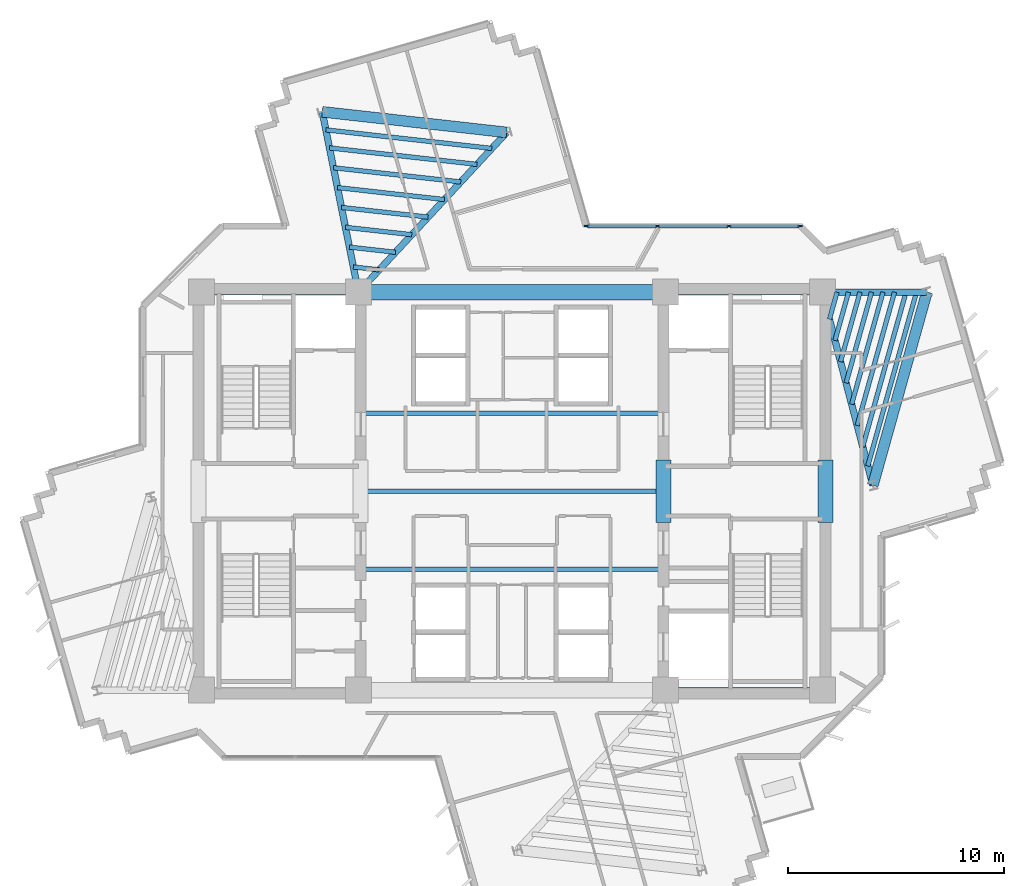
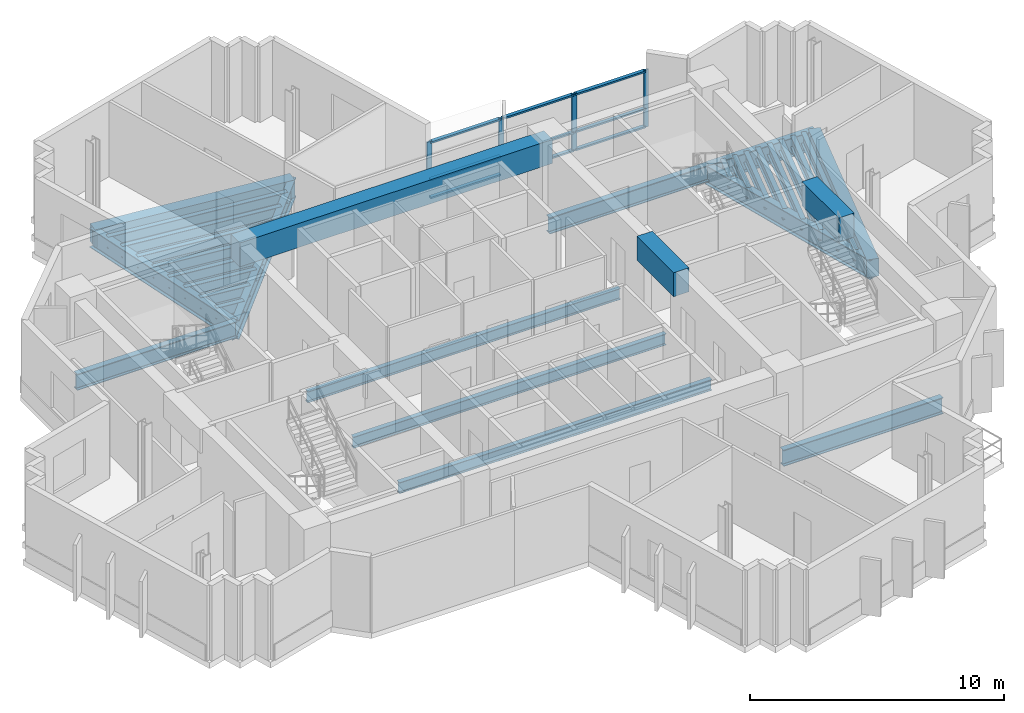
# One storey, part 3 of 14: 31 beams, 13 members, 1 element without a shape of its own.
"""IFC4 building model written with IfcOpenShell, lengths in metres."""

from ifc_helpers import new_model, si_unit, direction, frame, origin, origin_2d, place, context, subcontext, project, spatial, rectangle, i_section, extrude, source, transform, mapped, material, layer, layer_set, material_profile, profile_set, type_object, element, aggregate, save


model = new_model("IFC4")

# Units and contexts
model_context = context("Model", 3, precision=1e-05, world=origin(), true_north=direction((0.0, 1.0)))
body_context = subcontext(model_context, "Body", "Model", "MODEL_VIEW")
ifc_project = project(units=[si_unit("LENGTHUNIT", "METRE"), si_unit("AREAUNIT", "SQUARE_METRE"), si_unit("VOLUMEUNIT", "CUBIC_METRE"), si_unit("PLANEANGLEUNIT", "RADIAN"), si_unit("MASSUNIT", "GRAM", prefix="KILO")], contexts=[model_context])

# Site, building, storey
site_placement = place(None, origin())
site = spatial("IfcSite", under=ifc_project, at=site_placement, CompositionType="ELEMENT")
building_placement = place(site_placement, origin())
building = spatial("IfcBuilding", under=site, at=building_placement, Name="Zahravan Cultural Tower", CompositionType="ELEMENT")
storey_placement = place(building_placement, frame((0.0, 0.0, 209.699951171875)))
storey = spatial("IfcBuildingStorey", under=building, at=storey_placement, Name="L49", CompositionType="ELEMENT", Elevation=209.699951171875)

# Beams
ifc_material_1 = material(Name="Concrete C50/60", Category="concrete")
ifc_material_profile_1 = material_profile(ifc_material_1, rectangle(XDim=0.699951171875, YDim=1.14990234375, at=origin_2d()), Name="RC700X1150")
ifc_profile_set_1 = profile_set([ifc_material_profile_1], Name="Concrete C50/60")
beam_type_1 = type_object("IfcBeamType", Name="BM-LN-RC700X1150", PredefinedType="LINTEL", material=ifc_profile_set_1)
shared_shape_1 = source(origin(), body_context, "Body", "SweptSolid", [
    extrude(rectangle(XDim=0.699951171875, YDim=1.14990234375, at=origin_2d()), origin(), (0.0, 0.0, 1.0), 14.2001953125),
])
beam_1_placement = place(storey_placement, frame((28.89990234375, 36.199951171875, 3.045166015625), z_axis=(1.0, 0.0, 0.0), x_axis=(0.0, 1.0, 0.0)))
element("IfcBeam", 1, at=beam_1_placement, inside=storey, type_object=beam_type_1, Name="L49 Beam LN-L49-N", PredefinedType="LINTEL", context=body_context, shape_type="MappedRepresentation", body=[
    mapped(shared_shape_1, transform((0.0, 0.0, 0.0), x_axis=(1.0, 0.0, 0.0), y_axis=(0.0, 1.0, 0.0), z_axis=(0.0, 0.0, 1.0), scale=1.0)),
])
shared_shape_2 = source(origin(), body_context, "Body", "SweptSolid", [
    extrude(rectangle(XDim=0.699951171875, YDim=1.14990234375, at=origin_2d()), origin(), (0.0, 0.0, 1.0), 2.89990234375),
])
for number, where, z_axis, x_axis, name in (
    (2, (43.0, 25.550048828125, 3.045166015625), (0.0, 1.0, 0.0), (-1.0, 0.0, 0.0), "L49 Beam LN-L49-PEW"),
    (3, (50.5, 25.550048828125, 3.045166015625), (0.0, 1.0, 0.0), (-1.0, 0.0, 0.0), "L49 Beam LN-L49-PEE"),
):
    element("IfcBeam", number, at=place(storey_placement, frame(where, z_axis=z_axis, x_axis=x_axis)), inside=storey, type_object=beam_type_1, Name=name, PredefinedType="LINTEL", context=body_context, shape_type="MappedRepresentation", body=[
        mapped(shared_shape_2, transform((0.0, 0.0, 0.0), x_axis=(1.0, 0.0, 0.0), y_axis=(0.0, 1.0, 0.0), z_axis=(0.0, 0.0, 1.0), scale=1.0)),
    ])
ifc_material_2 = material(Name="Steel ASTM A992 Grade 50", Category="steel")
ifc_material_profile_2 = material_profile(ifc_material_2, i_section(OverallWidth=0.26611328125, OverallDepth=0.780029296875, WebThickness=0.0166015625, FlangeThickness=0.030029296875, FilletRadius=0.01904296875, at=origin_2d()), Name="W30X148")
ifc_profile_set_2 = profile_set([ifc_material_profile_2], Name="Steel ASTM A992 Grade 50")
beam_type_2 = type_object("IfcBeamType", Name="BM-G-W30X148", PredefinedType="BEAM", material=ifc_profile_set_2)
shared_shape_3 = source(origin(), body_context, "Body", "SweptSolid", [
    extrude(i_section(OverallWidth=0.26611328125, OverallDepth=0.780029296875, WebThickness=0.0166015625, FlangeThickness=0.030029296875, FilletRadius=0.01904296875, at=origin_2d()), origin(), (0.0, 0.0, 1.0), 7.25),
])
for number, where, z_axis, x_axis, name in (
    (4, (21.64990234375, 36.199951171875, -0.669921875), (1.0, 0.0, 0.0), (0.0, 1.0, 0.0), "L49 Beam BG-L49-02"),
    (5, (43.10009765625, 17.800048828125, -0.669921875), (1.0, 0.0, 0.0), (0.0, 1.0, 0.0), "L49 Beam BG-L49-04"),
    (6, (43.10009765625, 36.199951171875, -0.669921875), (1.0, 0.0, 0.0), (0.0, 1.0, 0.0), "L49 Beam BG-L49-05"),
):
    element("IfcBeam", number, at=place(storey_placement, frame(where, z_axis=z_axis, x_axis=x_axis)), inside=storey, type_object=beam_type_2, Name=name, PredefinedType="BEAM", context=body_context, shape_type="MappedRepresentation", body=[
        mapped(shared_shape_3, transform((0.0, 0.0, 0.0), x_axis=(1.0, 0.0, 0.0), y_axis=(0.0, 1.0, 0.0), z_axis=(0.0, 0.0, 1.0), scale=1.0)),
    ])
ifc_material_profile_3 = material_profile(ifc_material_2, i_section(OverallWidth=0.304931640625, OverallDepth=0.9189453125, WebThickness=0.017333984375, FlangeThickness=0.02783203125, FilletRadius=0.02392578125, at=origin_2d()), Name="W36X170")
ifc_profile_set_3 = profile_set([ifc_material_profile_3], Name="Steel ASTM A992 Grade 50")
beam_type_3 = type_object("IfcBeamType", Name="BM-G-W36X170", PredefinedType="BEAM", material=ifc_profile_set_3)
shared_shape_4 = source(origin(), body_context, "Body", "SweptSolid", [
    extrude(i_section(OverallWidth=0.304931640625, OverallDepth=0.9189453125, WebThickness=0.017333984375, FlangeThickness=0.02783203125, FilletRadius=0.02392578125, at=origin_2d()), origin(), (0.0, 0.0, 1.0), 9.22900390625),
])
beam_2_placement = place(storey_placement, frame((50.35009765625, 36.199951171875, -0.739501953125), z_axis=(0.252922608408, -0.967486513682, 0.0), x_axis=(0.967486513682, 0.252922608408, 0.0)))
element("IfcBeam", 7, at=beam_2_placement, inside=storey, type_object=beam_type_3, Name="L49 Beam BG-L49-11", PredefinedType="BEAM", context=body_context, shape_type="MappedRepresentation", body=[
    mapped(shared_shape_4, transform((0.0, 0.0, 0.0), x_axis=(1.0, 0.0, 0.0), y_axis=(0.0, 1.0, 0.0), z_axis=(0.0, 0.0, 1.0), scale=1.0)),
])
shared_shape_5 = source(origin(), body_context, "Body", "SweptSolid", [
    extrude(i_section(OverallWidth=0.304931640625, OverallDepth=0.9189453125, WebThickness=0.017333984375, FlangeThickness=0.02783203125, FilletRadius=0.02392578125, at=origin_2d()), origin(), (0.0, 0.0, 1.0), 4.834716796875),
])
beam_3_placement = place(storey_placement, frame((50.35009765625, 36.199951171875, -0.739501953125), z_axis=(0.99999920313, 0.001262433979, 0.0), x_axis=(-0.001262433979, 0.99999920313, 0.0)))
element("IfcBeam", 8, at=beam_3_placement, inside=storey, type_object=beam_type_3, Name="L49 Beam BG-L49-12", PredefinedType="BEAM", context=body_context, shape_type="MappedRepresentation", body=[
    mapped(shared_shape_5, transform((0.0, 0.0, 0.0), x_axis=(1.0, 0.0, 0.0), y_axis=(0.0, 1.0, 0.0), z_axis=(0.0, 0.0, 1.0), scale=1.0)),
])
shared_shape_6 = source(origin(), body_context, "Body", "SweptSolid", [
    extrude(i_section(OverallWidth=0.304931640625, OverallDepth=0.9189453125, WebThickness=0.017333984375, FlangeThickness=0.02783203125, FilletRadius=0.02392578125, at=origin_2d()), origin(), (0.0, 0.0, 1.0), 10.077880859375),
])
beam_4_placement = place(storey_placement, frame((28.89990234375, 36.199951171875, -0.739501953125), z_axis=(0.680170435587, 0.733054007938, 0.0), x_axis=(-0.733054007938, 0.680170435587, 0.0)))
element("IfcBeam", 9, at=beam_4_placement, inside=storey, type_object=beam_type_3, Name="L49 Beam BG-L49-13", PredefinedType="BEAM", context=body_context, shape_type="MappedRepresentation", body=[
    mapped(shared_shape_6, transform((0.0, 0.0, 0.0), x_axis=(1.0, 0.0, 0.0), y_axis=(0.0, 1.0, 0.0), z_axis=(0.0, 0.0, 1.0), scale=1.0)),
])
shared_shape_7 = source(origin(), body_context, "Body", "SweptSolid", [
    extrude(i_section(OverallWidth=0.304931640625, OverallDepth=0.9189453125, WebThickness=0.017333984375, FlangeThickness=0.02783203125, FilletRadius=0.02392578125, at=origin_2d()), origin(), (0.0, 0.0, 1.0), 8.50732421875),
])
beam_5_placement = place(storey_placement, frame((28.89990234375, 36.199951171875, -0.739501953125), z_axis=(-0.196524514012, 0.980498911469, 0.0), x_axis=(-0.980498911469, -0.196524514012, 0.0)))
element("IfcBeam", 10, at=beam_5_placement, inside=storey, type_object=beam_type_3, Name="L49 Beam BG-L49-14", PredefinedType="BEAM", context=body_context, shape_type="MappedRepresentation", body=[
    mapped(shared_shape_7, transform((0.0, 0.0, 0.0), x_axis=(1.0, 0.0, 0.0), y_axis=(0.0, 1.0, 0.0), z_axis=(0.0, 0.0, 1.0), scale=1.0)),
])
ifc_material_profile_4 = material_profile(ifc_material_1, rectangle(XDim=0.5, YDim=0.85009765625, at=origin_2d()), Name="RC500X850")
ifc_profile_set_4 = profile_set([ifc_material_profile_4], Name="Concrete C50/60")
beam_type_4 = type_object("IfcBeamType", Name="BM-SP-RC500X850", PredefinedType="SPANDREL", material=ifc_profile_set_4)
shared_shape_8 = source(origin(), body_context, "Body", "SweptSolid", [
    extrude(rectangle(XDim=0.5, YDim=0.85009765625, at=origin_2d()), origin(), (0.0, 0.0, 1.0), 9.2783203125),
])
beam_6_placement = place(storey_placement, frame((52.684326171875, 27.27099609375, -0.704833984375), z_axis=(0.269497187032, 0.963001176625, 0.0), x_axis=(-0.963001176625, 0.269497187032, 0.0)))
element("IfcBeam", 11, at=beam_6_placement, inside=storey, type_object=beam_type_4, Name="L49 Beam SP-L49-17", PredefinedType="SPANDREL", context=body_context, shape_type="MappedRepresentation", body=[
    mapped(shared_shape_8, transform((0.0, 0.0, 0.0), x_axis=(1.0, 0.0, 0.0), y_axis=(0.0, 1.0, 0.0), z_axis=(0.0, 0.0, 1.0), scale=1.0)),
])
shared_shape_9 = source(origin(), body_context, "Body", "SweptSolid", [
    extrude(rectangle(XDim=0.5, YDim=0.85009765625, at=origin_2d()), origin(), (0.0, 0.0, 1.0), 8.579833984375),
])
beam_7_placement = place(storey_placement, frame((35.754638671875, 43.587646484375, -0.704833984375), z_axis=(-0.9938040105, 0.11114669907, 0.0), x_axis=(-0.11114669907, -0.9938040105, 0.0)))
element("IfcBeam", 12, at=beam_7_placement, inside=storey, type_object=beam_type_4, Name="L49 Beam SP-L49-18", PredefinedType="SPANDREL", context=body_context, shape_type="MappedRepresentation", body=[
    mapped(shared_shape_9, transform((0.0, 0.0, 0.0), x_axis=(1.0, 0.0, 0.0), y_axis=(0.0, 1.0, 0.0), z_axis=(0.0, 0.0, 1.0), scale=1.0)),
])
ifc_material_profile_5 = material_profile(ifc_material_2, i_section(OverallWidth=0.2099609375, OverallDepth=0.532958984375, WebThickness=0.01025390625, FlangeThickness=0.015625, FilletRadius=0.013916015625, at=origin_2d()), Name="W21X62")
ifc_profile_set_5 = profile_set([ifc_material_profile_5], Name="Steel ASTM A992 Grade 50")
beam_type_5 = type_object("IfcBeamType", Name="BM-J-W21X62", PredefinedType="JOIST", material=ifc_profile_set_5)
shared_shape_10 = source(origin(), body_context, "Body", "SweptSolid", [
    extrude(i_section(OverallWidth=0.2099609375, OverallDepth=0.532958984375, WebThickness=0.01025390625, FlangeThickness=0.015625, FilletRadius=0.013916015625, at=origin_2d()), origin(), (0.0, 0.0, 1.0), 14.2001953125),
])
for number, where, z_axis, x_axis, name in (
    (13, (28.89990234375, 23.39990234375, -0.54638671875), (1.0, 0.0, 0.0), (0.0, 1.0, 0.0), "L49 Beam BJ-L49-19"),
    (14, (28.89990234375, 27.0, -0.54638671875), (1.0, 0.0, 0.0), (0.0, 1.0, 0.0), "L49 Beam BJ-L49-20"),
    (15, (28.89990234375, 30.60009765625, -0.54638671875), (1.0, 0.0, 0.0), (0.0, 1.0, 0.0), "L49 Beam BJ-L49-21"),
):
    element("IfcBeam", number, at=place(storey_placement, frame(where, z_axis=z_axis, x_axis=x_axis)), inside=storey, type_object=beam_type_5, Name=name, PredefinedType="JOIST", context=body_context, shape_type="MappedRepresentation", body=[
        mapped(shared_shape_10, transform((0.0, 0.0, 0.0), x_axis=(1.0, 0.0, 0.0), y_axis=(0.0, 1.0, 0.0), z_axis=(0.0, 0.0, 1.0), scale=1.0)),
    ])
shared_shape_11 = source(origin(), body_context, "Body", "SweptSolid", [
    extrude(i_section(OverallWidth=0.2099609375, OverallDepth=0.532958984375, WebThickness=0.01025390625, FlangeThickness=0.015625, FilletRadius=0.013916015625, at=origin_2d()), origin(), (0.0, 0.0, 1.0), 1.299072265625),
])
beam_8_placement = place(storey_placement, frame((50.6767578125, 34.949951171875, -0.54638671875), z_axis=(0.269504444708, 0.962999145525, 0.0), x_axis=(-0.962999145525, 0.269504444708, 0.0)))
element("IfcBeam", 16, at=beam_8_placement, inside=storey, type_object=beam_type_5, Name="L49 Beam BJ-L49-38", PredefinedType="JOIST", context=body_context, shape_type="MappedRepresentation", body=[
    mapped(shared_shape_11, transform((0.0, 0.0, 0.0), x_axis=(1.0, 0.0, 0.0), y_axis=(0.0, 1.0, 0.0), z_axis=(0.0, 0.0, 1.0), scale=1.0)),
])
shared_shape_12 = source(origin(), body_context, "Body", "SweptSolid", [
    extrude(i_section(OverallWidth=0.2099609375, OverallDepth=0.532958984375, WebThickness=0.01025390625, FlangeThickness=0.015625, FilletRadius=0.013916015625, at=origin_2d()), origin(), (0.0, 0.0, 1.0), 2.3193359375),
])
beam_9_placement = place(storey_placement, frame((50.93359375, 33.9677734375, -0.54638671875), z_axis=(0.269462038626, 0.963011012263, 0.0), x_axis=(-0.963011012263, 0.269462038626, 0.0)))
element("IfcBeam", 17, at=beam_9_placement, inside=storey, type_object=beam_type_5, Name="L49 Beam BJ-L49-39", PredefinedType="JOIST", context=body_context, shape_type="MappedRepresentation", body=[
    mapped(shared_shape_12, transform((0.0, 0.0, 0.0), x_axis=(1.0, 0.0, 0.0), y_axis=(0.0, 1.0, 0.0), z_axis=(0.0, 0.0, 1.0), scale=1.0)),
])
shared_shape_13 = source(origin(), body_context, "Body", "SweptSolid", [
    extrude(i_section(OverallWidth=0.2099609375, OverallDepth=0.532958984375, WebThickness=0.01025390625, FlangeThickness=0.015625, FilletRadius=0.013916015625, at=origin_2d()), origin(), (0.0, 0.0, 1.0), 3.340087890625),
])
beam_10_placement = place(storey_placement, frame((51.190185546875, 32.985595703125, -0.54638671875), z_axis=(0.269562146951, 0.962982995141, 0.0), x_axis=(-0.962982995141, 0.269562146951, 0.0)))
element("IfcBeam", 18, at=beam_10_placement, inside=storey, type_object=beam_type_5, Name="L49 Beam BJ-L49-40", PredefinedType="JOIST", context=body_context, shape_type="MappedRepresentation", body=[
    mapped(shared_shape_13, transform((0.0, 0.0, 0.0), x_axis=(1.0, 0.0, 0.0), y_axis=(0.0, 1.0, 0.0), z_axis=(0.0, 0.0, 1.0), scale=1.0)),
])
shared_shape_14 = source(origin(), body_context, "Body", "SweptSolid", [
    extrude(i_section(OverallWidth=0.2099609375, OverallDepth=0.532958984375, WebThickness=0.01025390625, FlangeThickness=0.015625, FilletRadius=0.013916015625, at=origin_2d()), origin(), (0.0, 0.0, 1.0), 4.36083984375),
])
beam_11_placement = place(storey_placement, frame((51.447021484375, 32.00341796875, -0.54638671875), z_axis=(0.269511557673, 0.962997154866, 0.0), x_axis=(-0.962997154866, 0.269511557673, 0.0)))
element("IfcBeam", 19, at=beam_11_placement, inside=storey, type_object=beam_type_5, Name="L49 Beam BJ-L49-41", PredefinedType="JOIST", context=body_context, shape_type="MappedRepresentation", body=[
    mapped(shared_shape_14, transform((0.0, 0.0, 0.0), x_axis=(1.0, 0.0, 0.0), y_axis=(0.0, 1.0, 0.0), z_axis=(0.0, 0.0, 1.0), scale=1.0)),
])
shared_shape_15 = source(origin(), body_context, "Body", "SweptSolid", [
    extrude(i_section(OverallWidth=0.2099609375, OverallDepth=0.532958984375, WebThickness=0.01025390625, FlangeThickness=0.015625, FilletRadius=0.013916015625, at=origin_2d()), origin(), (0.0, 0.0, 1.0), 5.3818359375),
])
beam_12_placement = place(storey_placement, frame((51.703857421875, 31.02099609375, -0.54638671875), z_axis=(0.269510454638, 0.962997463569, 0.0), x_axis=(-0.962997463569, 0.269510454638, 0.0)))
element("IfcBeam", 20, at=beam_12_placement, inside=storey, type_object=beam_type_5, Name="L49 Beam BJ-L49-42", PredefinedType="JOIST", context=body_context, shape_type="MappedRepresentation", body=[
    mapped(shared_shape_15, transform((0.0, 0.0, 0.0), x_axis=(1.0, 0.0, 0.0), y_axis=(0.0, 1.0, 0.0), z_axis=(0.0, 0.0, 1.0), scale=1.0)),
])
shared_shape_16 = source(origin(), body_context, "Body", "SweptSolid", [
    extrude(i_section(OverallWidth=0.2099609375, OverallDepth=0.532958984375, WebThickness=0.01025390625, FlangeThickness=0.015625, FilletRadius=0.013916015625, at=origin_2d()), origin(), (0.0, 0.0, 1.0), 6.402099609375),
])
beam_13_placement = place(storey_placement, frame((51.960693359375, 30.038818359375, -0.54638671875), z_axis=(0.269494133533, 0.963002031146, 0.0), x_axis=(-0.963002031146, 0.269494133533, 0.0)))
element("IfcBeam", 21, at=beam_13_placement, inside=storey, type_object=beam_type_5, Name="L49 Beam BJ-L49-43", PredefinedType="JOIST", context=body_context, shape_type="MappedRepresentation", body=[
    mapped(shared_shape_16, transform((0.0, 0.0, 0.0), x_axis=(1.0, 0.0, 0.0), y_axis=(0.0, 1.0, 0.0), z_axis=(0.0, 0.0, 1.0), scale=1.0)),
])
shared_shape_17 = source(origin(), body_context, "Body", "SweptSolid", [
    extrude(i_section(OverallWidth=0.2099609375, OverallDepth=0.532958984375, WebThickness=0.01025390625, FlangeThickness=0.015625, FilletRadius=0.013916015625, at=origin_2d()), origin(), (0.0, 0.0, 1.0), 7.4228515625),
])
beam_14_placement = place(storey_placement, frame((52.21728515625, 29.056640625, -0.54638671875), z_axis=(0.269504266128, 0.962999195503, 0.0), x_axis=(-0.962999195503, 0.269504266128, 0.0)))
element("IfcBeam", 22, at=beam_14_placement, inside=storey, type_object=beam_type_5, Name="L49 Beam BJ-L49-44", PredefinedType="JOIST", context=body_context, shape_type="MappedRepresentation", body=[
    mapped(shared_shape_17, transform((0.0, 0.0, 0.0), x_axis=(1.0, 0.0, 0.0), y_axis=(0.0, 1.0, 0.0), z_axis=(0.0, 0.0, 1.0), scale=1.0)),
])
shared_shape_18 = source(origin(), body_context, "Body", "SweptSolid", [
    extrude(i_section(OverallWidth=0.2099609375, OverallDepth=0.532958984375, WebThickness=0.01025390625, FlangeThickness=0.015625, FilletRadius=0.013916015625, at=origin_2d()), origin(), (0.0, 0.0, 1.0), 8.350830078125),
])
beam_15_placement = place(storey_placement, frame((52.450927734375, 28.163818359375, -0.54638671875), z_axis=(0.269496539555, 0.963001357822, 0.0), x_axis=(-0.963001357822, 0.269496539555, 0.0)))
element("IfcBeam", 23, at=beam_15_placement, inside=storey, type_object=beam_type_5, Name="L49 Beam BJ-L49-45", PredefinedType="JOIST", context=body_context, shape_type="MappedRepresentation", body=[
    mapped(shared_shape_18, transform((0.0, 0.0, 0.0), x_axis=(1.0, 0.0, 0.0), y_axis=(0.0, 1.0, 0.0), z_axis=(0.0, 0.0, 1.0), scale=1.0)),
])
shared_shape_19 = source(origin(), body_context, "Body", "SweptSolid", [
    extrude(i_section(OverallWidth=0.2099609375, OverallDepth=0.532958984375, WebThickness=0.01025390625, FlangeThickness=0.015625, FilletRadius=0.013916015625, at=origin_2d()), origin(), (0.0, 0.0, 1.0), 1.201171875),
])
beam_16_placement = place(storey_placement, frame((29.859619140625, 37.234375, -0.54638671875), z_axis=(-0.99379916149, 0.111190047317, 0.0), x_axis=(-0.111190047317, -0.99379916149, 0.0)))
element("IfcBeam", 24, at=beam_16_placement, inside=storey, type_object=beam_type_5, Name="L49 Beam BJ-L49-46", PredefinedType="JOIST", context=body_context, shape_type="MappedRepresentation", body=[
    mapped(shared_shape_19, transform((0.0, 0.0, 0.0), x_axis=(1.0, 0.0, 0.0), y_axis=(0.0, 1.0, 0.0), z_axis=(0.0, 0.0, 1.0), scale=1.0)),
])
shared_shape_20 = source(origin(), body_context, "Body", "SweptSolid", [
    extrude(i_section(OverallWidth=0.2099609375, OverallDepth=0.532958984375, WebThickness=0.01025390625, FlangeThickness=0.015625, FilletRadius=0.013916015625, at=origin_2d()), origin(), (0.0, 0.0, 1.0), 2.144775390625),
])
beam_17_placement = place(storey_placement, frame((30.613525390625, 38.046875, -0.54638671875), z_axis=(-0.993797370806, 0.111206051, 0.0), x_axis=(-0.111206051, -0.993797370806, 0.0)))
element("IfcBeam", 25, at=beam_17_placement, inside=storey, type_object=beam_type_5, Name="L49 Beam BJ-L49-47", PredefinedType="JOIST", context=body_context, shape_type="MappedRepresentation", body=[
    mapped(shared_shape_20, transform((0.0, 0.0, 0.0), x_axis=(1.0, 0.0, 0.0), y_axis=(0.0, 1.0, 0.0), z_axis=(0.0, 0.0, 1.0), scale=1.0)),
])
shared_shape_21 = source(origin(), body_context, "Body", "SweptSolid", [
    extrude(i_section(OverallWidth=0.2099609375, OverallDepth=0.532958984375, WebThickness=0.01025390625, FlangeThickness=0.015625, FilletRadius=0.013916015625, at=origin_2d()), origin(), (0.0, 0.0, 1.0), 3.088623046875),
])
beam_18_placement = place(storey_placement, frame((31.36767578125, 38.859619140625, -0.54638671875), z_axis=(-0.993805407368, 0.111134208443, 0.0), x_axis=(-0.111134208443, -0.993805407368, 0.0)))
element("IfcBeam", 26, at=beam_18_placement, inside=storey, type_object=beam_type_5, Name="L49 Beam BJ-L49-48", PredefinedType="JOIST", context=body_context, shape_type="MappedRepresentation", body=[
    mapped(shared_shape_21, transform((0.0, 0.0, 0.0), x_axis=(1.0, 0.0, 0.0), y_axis=(0.0, 1.0, 0.0), z_axis=(0.0, 0.0, 1.0), scale=1.0)),
])
shared_shape_22 = source(origin(), body_context, "Body", "SweptSolid", [
    extrude(i_section(OverallWidth=0.2099609375, OverallDepth=0.532958984375, WebThickness=0.01025390625, FlangeThickness=0.015625, FilletRadius=0.013916015625, at=origin_2d()), origin(), (0.0, 0.0, 1.0), 4.0322265625),
])
beam_19_placement = place(storey_placement, frame((32.12158203125, 39.672119140625, -0.54638671875), z_axis=(-0.993802245601, 0.11116247855, 0.0), x_axis=(-0.11116247855, -0.993802245601, 0.0)))
element("IfcBeam", 27, at=beam_19_placement, inside=storey, type_object=beam_type_5, Name="L49 Beam BJ-L49-49", PredefinedType="JOIST", context=body_context, shape_type="MappedRepresentation", body=[
    mapped(shared_shape_22, transform((0.0, 0.0, 0.0), x_axis=(1.0, 0.0, 0.0), y_axis=(0.0, 1.0, 0.0), z_axis=(0.0, 0.0, 1.0), scale=1.0)),
])
shared_shape_23 = source(origin(), body_context, "Body", "SweptSolid", [
    extrude(i_section(OverallWidth=0.2099609375, OverallDepth=0.532958984375, WebThickness=0.01025390625, FlangeThickness=0.015625, FilletRadius=0.013916015625, at=origin_2d()), origin(), (0.0, 0.0, 1.0), 4.97607421875),
])
beam_20_placement = place(storey_placement, frame((32.875732421875, 40.48486328125, -0.54638671875), z_axis=(-0.993806308517, 0.111126149723, 0.0), x_axis=(-0.111126149723, -0.993806308517, 0.0)))
element("IfcBeam", 28, at=beam_20_placement, inside=storey, type_object=beam_type_5, Name="L49 Beam BJ-L49-50", PredefinedType="JOIST", context=body_context, shape_type="MappedRepresentation", body=[
    mapped(shared_shape_23, transform((0.0, 0.0, 0.0), x_axis=(1.0, 0.0, 0.0), y_axis=(0.0, 1.0, 0.0), z_axis=(0.0, 0.0, 1.0), scale=1.0)),
])
shared_shape_24 = source(origin(), body_context, "Body", "SweptSolid", [
    extrude(i_section(OverallWidth=0.2099609375, OverallDepth=0.532958984375, WebThickness=0.01025390625, FlangeThickness=0.015625, FilletRadius=0.013916015625, at=origin_2d()), origin(), (0.0, 0.0, 1.0), 5.919921875),
])
beam_21_placement = place(storey_placement, frame((33.629638671875, 41.29736328125, -0.54638671875), z_axis=(-0.993804520866, 0.111142135602, 0.0), x_axis=(-0.111142135602, -0.993804520866, 0.0)))
element("IfcBeam", 29, at=beam_21_placement, inside=storey, type_object=beam_type_5, Name="L49 Beam BJ-L49-51", PredefinedType="JOIST", context=body_context, shape_type="MappedRepresentation", body=[
    mapped(shared_shape_24, transform((0.0, 0.0, 0.0), x_axis=(1.0, 0.0, 0.0), y_axis=(0.0, 1.0, 0.0), z_axis=(0.0, 0.0, 1.0), scale=1.0)),
])
shared_shape_25 = source(origin(), body_context, "Body", "SweptSolid", [
    extrude(i_section(OverallWidth=0.2099609375, OverallDepth=0.532958984375, WebThickness=0.01025390625, FlangeThickness=0.015625, FilletRadius=0.013916015625, at=origin_2d()), origin(), (0.0, 0.0, 1.0), 6.86376953125),
])
beam_22_placement = place(storey_placement, frame((34.3837890625, 42.110107421875, -0.54638671875), z_axis=(-0.993803224695, 0.111153725024, 0.0), x_axis=(-0.111153725024, -0.993803224695, 0.0)))
element("IfcBeam", 30, at=beam_22_placement, inside=storey, type_object=beam_type_5, Name="L49 Beam BJ-L49-52", PredefinedType="JOIST", context=body_context, shape_type="MappedRepresentation", body=[
    mapped(shared_shape_25, transform((0.0, 0.0, 0.0), x_axis=(1.0, 0.0, 0.0), y_axis=(0.0, 1.0, 0.0), z_axis=(0.0, 0.0, 1.0), scale=1.0)),
])
shared_shape_26 = source(origin(), body_context, "Body", "SweptSolid", [
    extrude(i_section(OverallWidth=0.2099609375, OverallDepth=0.532958984375, WebThickness=0.01025390625, FlangeThickness=0.015625, FilletRadius=0.013916015625, at=origin_2d()), origin(), (0.0, 0.0, 1.0), 7.7216796875),
])
beam_23_placement = place(storey_placement, frame((35.069091796875, 42.848876953125, -0.54638671875), z_axis=(-0.993805212115, 0.11113595446, 0.0), x_axis=(-0.11113595446, -0.993805212115, 0.0)))
element("IfcBeam", 31, at=beam_23_placement, inside=storey, type_object=beam_type_5, Name="L49 Beam BJ-L49-53", PredefinedType="JOIST", context=body_context, shape_type="MappedRepresentation", body=[
    mapped(shared_shape_26, transform((0.0, 0.0, 0.0), x_axis=(1.0, 0.0, 0.0), y_axis=(0.0, 1.0, 0.0), z_axis=(0.0, 0.0, 1.0), scale=1.0)),
])

# Curtain wall, members
ifc_material_3 = material(Name="Anodised bronze-aluminium mullion", Category="aluminium")
ifc_layer = layer(ifc_material_3, 0.219970703125)
ifc_layer_set = layer_set([ifc_layer], Name="Anodised bronze-aluminium mullion")
curtain_wall_type = type_object("IfcCurtainWallType", Name="CW-SYS-1", PredefinedType="USERDEFINED", material=ifc_layer_set)
curtain_wall_placement = place(storey_placement, origin())
curtain_wall = element("IfcCurtainWall", 32, at=curtain_wall_placement, inside=storey, type_object=curtain_wall_type, Name="L49 Recessed Curtain Wall CW-1.2", ObjectType="RECESSED GLAZING", PredefinedType="USERDEFINED")
ifc_material_profile_6 = material_profile(ifc_material_3, rectangle(XDim=0.080078125, YDim=0.219970703125, at=origin_2d()), Name="AL-M80X220")
ifc_profile_set_6 = profile_set([ifc_material_profile_6], Name="Anodised bronze-aluminium mullion")
member_type_1 = type_object("IfcMemberType", Name="CWM-CW-1", PredefinedType="MULLION", material=ifc_profile_set_6)
shared_shape_27 = source(origin(), body_context, "Body", "SweptSolid", [
    extrude(rectangle(XDim=0.080078125, YDim=0.219970703125, at=origin_2d()), origin(), (0.0, 0.0, 1.0), 2.739990234375),
])
member_1_placement = place(storey_placement, frame((39.460693359375, 39.260009765625, 0.0), z_axis=(0.0, 0.0, 1.0), x_axis=(0.0, 1.0, 0.0)))
member_1 = element("IfcMember", 33, at=member_1_placement, type_object=member_type_1, Name="CW-1 mullion 1", PredefinedType="MULLION", context=body_context, shape_type="MappedRepresentation", body=[
    mapped(shared_shape_27, transform((0.0, 0.0, 0.0), x_axis=(1.0, 0.0, 0.0), y_axis=(0.0, 1.0, 0.0), z_axis=(0.0, 0.0, 1.0), scale=1.0)),
])
member_2_placement = place(storey_placement, frame((42.727783203125, 39.260009765625, 0.0), z_axis=(0.0, 0.0, 1.0), x_axis=(0.0, 1.0, 0.0)))
member_2 = element("IfcMember", 34, at=member_2_placement, type_object=member_type_1, Name="CW-1 mullion 2", PredefinedType="MULLION", context=body_context, shape_type="MappedRepresentation", body=[
    mapped(shared_shape_27, transform((0.0, 0.0, 0.0), x_axis=(1.0, 0.0, 0.0), y_axis=(0.0, 1.0, 0.0), z_axis=(0.0, 0.0, 1.0), scale=1.0)),
])
member_3_placement = place(storey_placement, frame((46.034912109375, 39.260009765625, 0.0), z_axis=(0.0, 0.0, 1.0), x_axis=(0.0, 1.0, 0.0)))
member_3 = element("IfcMember", 35, at=member_3_placement, type_object=member_type_1, Name="CW-1 mullion 3", PredefinedType="MULLION", context=body_context, shape_type="MappedRepresentation", body=[
    mapped(shared_shape_27, transform((0.0, 0.0, 0.0), x_axis=(1.0, 0.0, 0.0), y_axis=(0.0, 1.0, 0.0), z_axis=(0.0, 0.0, 1.0), scale=1.0)),
])
member_4_placement = place(storey_placement, frame((49.302001953125, 39.260009765625, 0.0), z_axis=(0.0, 0.0, 1.0), x_axis=(0.0, 1.0, 0.0)))
member_4 = element("IfcMember", 36, at=member_4_placement, type_object=member_type_1, Name="CW-1 mullion 4", PredefinedType="MULLION", context=body_context, shape_type="MappedRepresentation", body=[
    mapped(shared_shape_27, transform((0.0, 0.0, 0.0), x_axis=(1.0, 0.0, 0.0), y_axis=(0.0, 1.0, 0.0), z_axis=(0.0, 0.0, 1.0), scale=1.0)),
])
ifc_material_profile_7 = material_profile(ifc_material_3, rectangle(XDim=0.159912109375, YDim=0.080078125, at=origin_2d()), Name="AL-T80X160")
ifc_profile_set_7 = profile_set([ifc_material_profile_7], Name="Anodised bronze-aluminium mullion")
member_type_2 = type_object("IfcMemberType", Name="CWT-CW-1", PredefinedType="USERDEFINED", material=ifc_profile_set_7)
shared_shape_28 = source(origin(), body_context, "Body", "SweptSolid", [
    extrude(rectangle(XDim=0.159912109375, YDim=0.080078125, at=origin_2d()), origin(), (0.0, 0.0, 1.0), 3.18701171875),
])
member_5_placement = place(storey_placement, frame((39.500732421875, 39.260009765625, 0.0400390625), z_axis=(1.0, 0.0, 0.0), x_axis=(0.0, 1.0, 0.0)))
member_5 = element("IfcMember", 37, at=member_5_placement, type_object=member_type_2, Name="CW-1 transom 1.1", ObjectType="TRANSOM", PredefinedType="USERDEFINED", context=body_context, shape_type="MappedRepresentation", body=[
    mapped(shared_shape_28, transform((0.0, 0.0, 0.0), x_axis=(1.0, 0.0, 0.0), y_axis=(0.0, 1.0, 0.0), z_axis=(0.0, 0.0, 1.0), scale=1.0)),
])
member_6_placement = place(storey_placement, frame((39.500732421875, 39.260009765625, 0.900146484375), z_axis=(1.0, 0.0, 0.0), x_axis=(0.0, 1.0, 0.0)))
member_6 = element("IfcMember", 38, at=member_6_placement, type_object=member_type_2, Name="CW-1 transom 1.2", ObjectType="TRANSOM", PredefinedType="USERDEFINED", context=body_context, shape_type="MappedRepresentation", body=[
    mapped(shared_shape_28, transform((0.0, 0.0, 0.0), x_axis=(1.0, 0.0, 0.0), y_axis=(0.0, 1.0, 0.0), z_axis=(0.0, 0.0, 1.0), scale=1.0)),
])
member_7_placement = place(storey_placement, frame((39.500732421875, 39.260009765625, 2.699951171875), z_axis=(1.0, 0.0, 0.0), x_axis=(0.0, 1.0, 0.0)))
member_7 = element("IfcMember", 39, at=member_7_placement, type_object=member_type_2, Name="CW-1 transom 1.3", ObjectType="TRANSOM", PredefinedType="USERDEFINED", context=body_context, shape_type="MappedRepresentation", body=[
    mapped(shared_shape_28, transform((0.0, 0.0, 0.0), x_axis=(1.0, 0.0, 0.0), y_axis=(0.0, 1.0, 0.0), z_axis=(0.0, 0.0, 1.0), scale=1.0)),
])
member_8_placement = place(storey_placement, frame((46.074951171875, 39.260009765625, 0.0400390625), z_axis=(1.0, 0.0, 0.0), x_axis=(0.0, 1.0, 0.0)))
member_8 = element("IfcMember", 40, at=member_8_placement, type_object=member_type_2, Name="CW-1 transom 3.1", ObjectType="TRANSOM", PredefinedType="USERDEFINED", context=body_context, shape_type="MappedRepresentation", body=[
    mapped(shared_shape_28, transform((0.0, 0.0, 0.0), x_axis=(1.0, 0.0, 0.0), y_axis=(0.0, 1.0, 0.0), z_axis=(0.0, 0.0, 1.0), scale=1.0)),
])
member_9_placement = place(storey_placement, frame((46.074951171875, 39.260009765625, 0.900146484375), z_axis=(1.0, 0.0, 0.0), x_axis=(0.0, 1.0, 0.0)))
member_9 = element("IfcMember", 41, at=member_9_placement, type_object=member_type_2, Name="CW-1 transom 3.2", ObjectType="TRANSOM", PredefinedType="USERDEFINED", context=body_context, shape_type="MappedRepresentation", body=[
    mapped(shared_shape_28, transform((0.0, 0.0, 0.0), x_axis=(1.0, 0.0, 0.0), y_axis=(0.0, 1.0, 0.0), z_axis=(0.0, 0.0, 1.0), scale=1.0)),
])
member_10_placement = place(storey_placement, frame((46.074951171875, 39.260009765625, 2.699951171875), z_axis=(1.0, 0.0, 0.0), x_axis=(0.0, 1.0, 0.0)))
member_10 = element("IfcMember", 42, at=member_10_placement, type_object=member_type_2, Name="CW-1 transom 3.3", ObjectType="TRANSOM", PredefinedType="USERDEFINED", context=body_context, shape_type="MappedRepresentation", body=[
    mapped(shared_shape_28, transform((0.0, 0.0, 0.0), x_axis=(1.0, 0.0, 0.0), y_axis=(0.0, 1.0, 0.0), z_axis=(0.0, 0.0, 1.0), scale=1.0)),
])
shared_shape_29 = source(origin(), body_context, "Body", "SweptSolid", [
    extrude(rectangle(XDim=0.159912109375, YDim=0.080078125, at=origin_2d()), origin(), (0.0, 0.0, 1.0), 3.22705078125),
])
member_11_placement = place(storey_placement, frame((42.767822265625, 39.260009765625, 0.0400390625), z_axis=(1.0, 0.0, 0.0), x_axis=(0.0, 1.0, 0.0)))
member_11 = element("IfcMember", 43, at=member_11_placement, type_object=member_type_2, Name="CW-1 transom 2.1", ObjectType="TRANSOM", PredefinedType="USERDEFINED", context=body_context, shape_type="MappedRepresentation", body=[
    mapped(shared_shape_29, transform((0.0, 0.0, 0.0), x_axis=(1.0, 0.0, 0.0), y_axis=(0.0, 1.0, 0.0), z_axis=(0.0, 0.0, 1.0), scale=1.0)),
])
member_12_placement = place(storey_placement, frame((42.767822265625, 39.260009765625, 0.900146484375), z_axis=(1.0, 0.0, 0.0), x_axis=(0.0, 1.0, 0.0)))
member_12 = element("IfcMember", 44, at=member_12_placement, type_object=member_type_2, Name="CW-1 transom 2.2", ObjectType="TRANSOM", PredefinedType="USERDEFINED", context=body_context, shape_type="MappedRepresentation", body=[
    mapped(shared_shape_29, transform((0.0, 0.0, 0.0), x_axis=(1.0, 0.0, 0.0), y_axis=(0.0, 1.0, 0.0), z_axis=(0.0, 0.0, 1.0), scale=1.0)),
])
member_13_placement = place(storey_placement, frame((42.767822265625, 39.260009765625, 2.699951171875), z_axis=(1.0, 0.0, 0.0), x_axis=(0.0, 1.0, 0.0)))
member_13 = element("IfcMember", 45, at=member_13_placement, type_object=member_type_2, Name="CW-1 transom 2.3", ObjectType="TRANSOM", PredefinedType="USERDEFINED", context=body_context, shape_type="MappedRepresentation", body=[
    mapped(shared_shape_29, transform((0.0, 0.0, 0.0), x_axis=(1.0, 0.0, 0.0), y_axis=(0.0, 1.0, 0.0), z_axis=(0.0, 0.0, 1.0), scale=1.0)),
])
aggregate(curtain_wall, [member_1, member_2, member_3, member_4, member_5, member_6, member_7, member_11, member_12, member_13, member_8, member_9, member_10])

save(model, "model.ifc")
